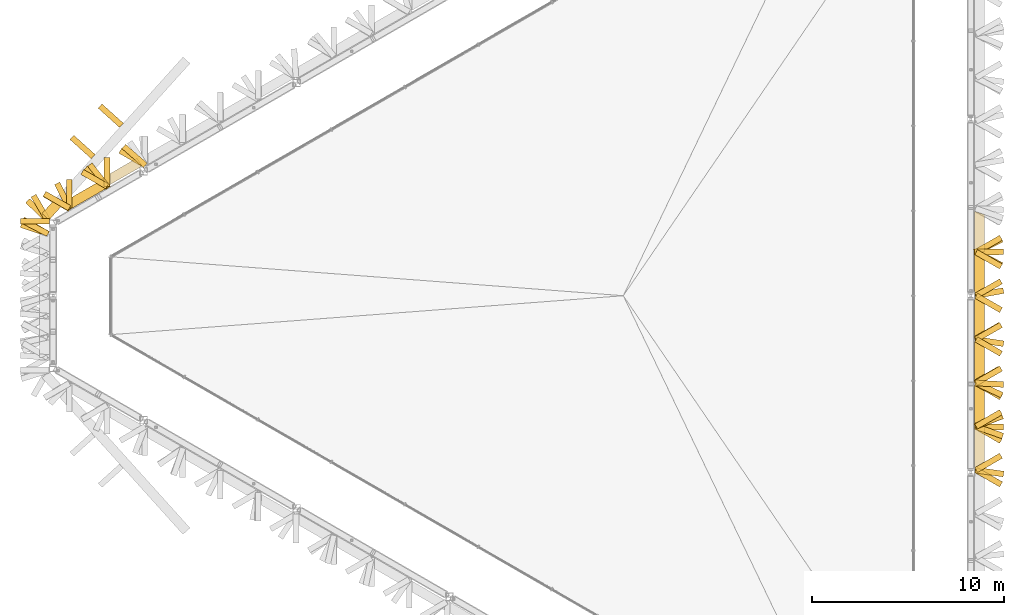
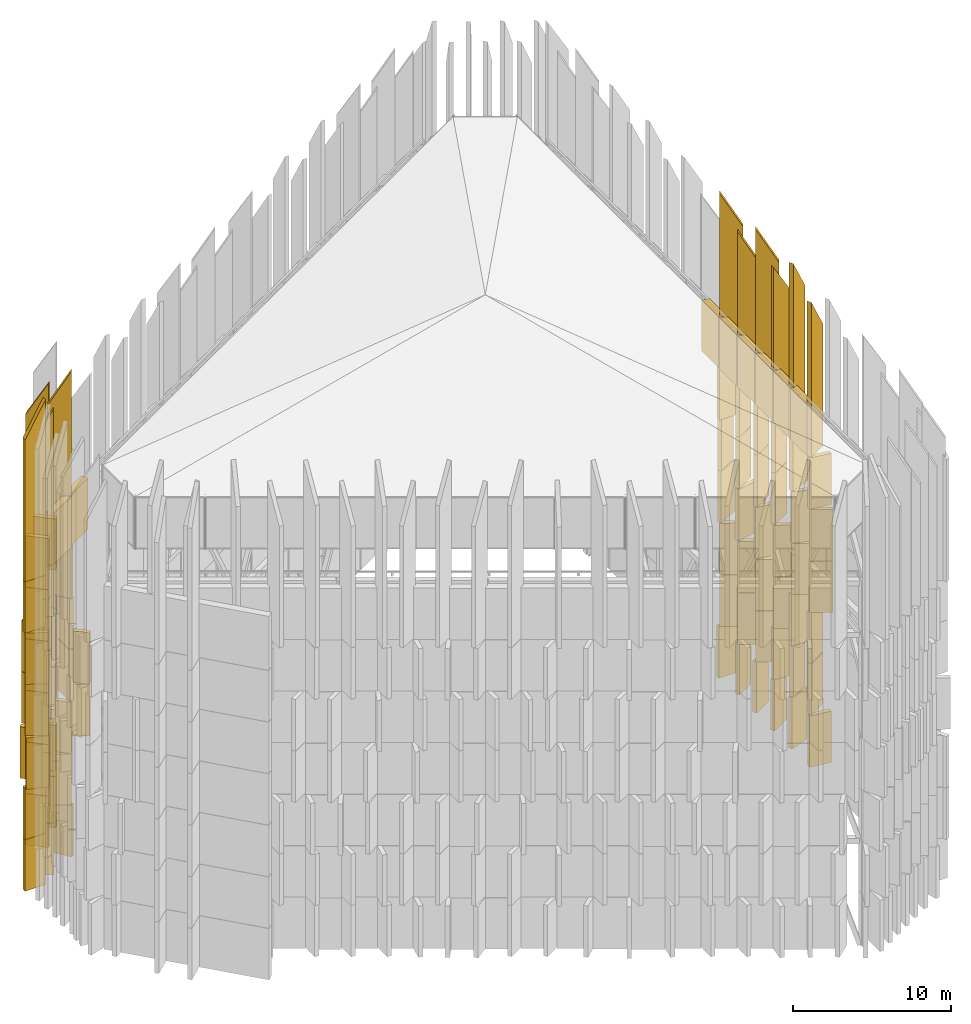
# One storey, part 41 of 45: 90 shading devices.
"""IFC4 building model written with IfcOpenShell, lengths in metres."""

from ifc_helpers import new_model, si_unit, direction, frame, frame_2d, origin, place, context, subcontext, project, spatial, polyline, rectangle, outline, extrude, material, layer, layer_set, type_object, element, save


model = new_model("IFC4")

# Units and contexts
model_context = context("Model", 3, precision=1e-05, world=origin(), true_north=direction((0.0, 1.0)))
body_context = subcontext(model_context, "Body", "Model", "MODEL_VIEW")
ifc_project = project(units=[si_unit("LENGTHUNIT", "METRE"), si_unit("AREAUNIT", "SQUARE_METRE"), si_unit("VOLUMEUNIT", "CUBIC_METRE"), si_unit("PLANEANGLEUNIT", "RADIAN"), si_unit("MASSUNIT", "GRAM", prefix="KILO")], contexts=[model_context])

# Site, building, storey
site_placement = place(None, origin())
site = spatial("IfcSite", under=ifc_project, at=site_placement, CompositionType="ELEMENT")
building_placement = place(site_placement, origin())
building = spatial("IfcBuilding", under=site, at=building_placement, Name="Jabali Bay Hotel Tower and Convention Centre", CompositionType="ELEMENT")
storey_placement = place(building_placement, frame((0.0, 0.0, 322.39990234375)))
storey = spatial("IfcBuildingStorey", under=building, at=storey_placement, Name="Crown", CompositionType="ELEMENT", Elevation=322.39990234375)

# Shading devices
ifc_material_1 = material(Name="Aluminium 6063", Category="aluminium")
shading_device_type_1 = type_object("IfcShadingDeviceType", Name="Louvre bank", PredefinedType="USERDEFINED", material=ifc_material_1)
shading_device_1_placement = place(storey_placement, frame((0.0, 0.0, 23.92431640625)))
element("IfcShadingDevice", 1, at=shading_device_1_placement, inside=storey, type_object=shading_device_type_1, Name="Louvre 7.0.06", ObjectType="LOUVRE", PredefinedType="USERDEFINED", context=body_context, shape_type="SweptSolid", body=[
    extrude(outline(polyline([(93.348876953125, 73.1708984375), (93.348876953125, 71.0244140625), (93.848876953125, 71.31298828125), (93.848876953125, 73.1708984375), (93.7236328125, 73.1708984375), (93.498779296875, 73.041015625), (93.423828125, 73.1708984375), (93.348876953125, 73.1708984375)])), origin(), (0.0, 0.0, 1.0), 3.9658203125),
])
shading_device_2_placement = place(storey_placement, frame((0.0, 0.0, 23.92431640625)))
element("IfcShadingDevice", 2, at=shading_device_2_placement, inside=storey, type_object=shading_device_type_1, Name="Louvre 7.0.07", ObjectType="LOUVRE", PredefinedType="USERDEFINED", context=body_context, shape_type="SweptSolid", body=[
    extrude(outline(polyline([(93.348876953125, 75.297607421875), (93.348876953125, 73.30078125), (93.848876953125, 73.58935546875), (93.848876953125, 75.268798828125), (93.348876953125, 75.297607421875)])), origin(), (0.0, 0.0, 1.0), 3.9658203125),
])
shading_device_3_placement = place(storey_placement, frame((0.0, 0.0, 23.92431640625)))
element("IfcShadingDevice", 3, at=shading_device_3_placement, inside=storey, type_object=shading_device_type_1, Name="Louvre 7.0.08", ObjectType="LOUVRE", PredefinedType="USERDEFINED", context=body_context, shape_type="SweptSolid", body=[
    extrude(outline(polyline([(93.348876953125, 77.59375), (93.348876953125, 75.447265625), (93.357421875, 75.447265625), (93.365966796875, 75.596923828125), (93.848876953125, 75.5693359375), (93.848876953125, 77.304931640625), (93.348876953125, 77.59375)])), origin(), (0.0, 0.0, 1.0), 3.9658203125),
])
shading_device_4_placement = place(storey_placement, frame((0.0, 0.0, 23.92431640625)))
element("IfcShadingDevice", 4, at=shading_device_4_placement, inside=storey, type_object=shading_device_type_1, Name="Louvre 7.0.09", ObjectType="LOUVRE", PredefinedType="USERDEFINED", context=body_context, shape_type="SweptSolid", body=[
    extrude(outline(polyline([(93.348876953125, 79.8701171875), (93.348876953125, 77.7236328125), (93.423828125, 77.7236328125), (93.498779296875, 77.853515625), (93.7236328125, 77.7236328125), (93.848876953125, 77.7236328125), (93.848876953125, 79.581298828125), (93.348876953125, 79.8701171875)])), origin(), (0.0, 0.0, 1.0), 3.9658203125),
])
shading_device_5_placement = place(storey_placement, frame((0.0, 0.0, 23.92431640625)))
element("IfcShadingDevice", 5, at=shading_device_5_placement, inside=storey, type_object=shading_device_type_1, Name="Louvre 7.0.10", ObjectType="LOUVRE", PredefinedType="USERDEFINED", context=body_context, shape_type="SweptSolid", body=[
    extrude(outline(polyline([(93.348876953125, 82.146484375), (93.348876953125, 80.0), (93.423828125, 80.0), (93.498779296875, 80.1298828125), (93.7236328125, 80.0), (93.848876953125, 80.0), (93.848876953125, 81.857666015625), (93.348876953125, 82.146484375)])), origin(), (0.0, 0.0, 1.0), 3.9658203125),
])
shading_device_6_placement = place(storey_placement, frame((0.0, 0.0, 23.92431640625)))
element("IfcShadingDevice", 6, at=shading_device_6_placement, inside=storey, type_object=shading_device_type_1, Name="Louvre 7.0.11", ObjectType="LOUVRE", PredefinedType="USERDEFINED", context=body_context, shape_type="SweptSolid", body=[
    extrude(outline(polyline([(93.348876953125, 84.4111328125), (93.348876953125, 82.2763671875), (93.423828125, 82.2763671875), (93.498779296875, 82.40625), (93.7236328125, 82.2763671875), (93.848876953125, 82.2763671875), (93.848876953125, 84.23681640625), (93.348876953125, 84.4111328125)])), origin(), (0.0, 0.0, 1.0), 3.9658203125),
])
shading_device_7_placement = place(storey_placement, frame((0.0, 0.0, 23.92431640625)))
element("IfcShadingDevice", 7, at=shading_device_7_placement, inside=storey, type_object=shading_device_type_1, Name="Louvre 7.2.46", ObjectType="LOUVRE", PredefinedType="USERDEFINED", context=body_context, shape_type="SweptSolid", body=[
    extrude(outline(polyline([(48.04638671875, 85.710205078125), (49.884033203125, 86.771240234375), (49.6083984375, 87.189208984375), (47.79638671875, 86.14306640625), (47.8955078125, 85.971435546875), (48.12060546875, 85.841552734375), (48.04541015625, 85.711669921875), (48.04638671875, 85.710205078125)])), origin(), (0.0, 0.0, 1.0), 3.9658203125),
])
shading_device_8_placement = place(storey_placement, frame((0.0, 0.0, 23.92431640625)))
element("IfcShadingDevice", 8, at=shading_device_8_placement, inside=storey, type_object=shading_device_type_1, Name="Louvre 7.2.47", ObjectType="LOUVRE", PredefinedType="USERDEFINED", context=body_context, shape_type="SweptSolid", body=[
    extrude(outline(polyline([(46.111572265625, 84.508544921875), (47.970458984375, 85.581787109375), (47.470458984375, 85.87060546875), (45.861572265625, 84.941650390625), (45.924072265625, 84.833251953125), (46.149169921875, 84.703369140625), (46.07421875, 84.573486328125), (46.111572265625, 84.508544921875)])), origin(), (0.0, 0.0, 1.0), 3.9658203125),
])
shading_device_9_placement = place(storey_placement, frame((0.0, 0.0, 23.92431640625)))
element("IfcShadingDevice", 9, at=shading_device_9_placement, inside=storey, type_object=shading_device_type_1, Name="Louvre 7.W00", ObjectType="LOUVRE", PredefinedType="USERDEFINED", context=body_context, shape_type="SweptSolid", body=[
    extrude(outline(polyline([(45.02587890625, 83.96630859375), (45.6416015625, 84.650146484375), (45.198974609375, 84.905517578125), (44.64453125, 84.289794921875), (44.93115234375, 84.03173828125), (45.02587890625, 84.03173828125), (45.02587890625, 83.96630859375)])), origin(), (0.0, 0.0, 1.0), 4.17578125),
])
ifc_material_2 = material(Name="Precast concrete C60", Category="concrete")
ifc_layer = layer(ifc_material_2, 0.300048828125)
ifc_layer_set = layer_set([ifc_layer], Name="Precast concrete C60")
shading_device_type_2 = type_object("IfcShadingDeviceType", Name="Precast fin 3966 x 1500", PredefinedType="USERDEFINED", material=ifc_layer_set)
shading_device_10_placement = place(storey_placement, frame((93.369384765625, 70.89453125, 0.010009765625), z_axis=(0.0, 0.0, 1.0), x_axis=(0.990454043989, -0.137843341318, 0.0)))
element("IfcShadingDevice", 10, at=shading_device_10_placement, inside=storey, type_object=shading_device_type_2, Name="Fin Crown:0 006", ObjectType="FIN", PredefinedType="USERDEFINED", context=body_context, shape_type="SweptSolid", body=[
    extrude(rectangle(XDim=1.500244140625, YDim=0.300048828125, at=frame_2d((0.75, 0.0))), origin(), (0.0, 0.0, 1.0), 3.9658203125),
])
shading_device_11_placement = place(storey_placement, frame((93.353271484375, 73.1708984375, 0.010009765625), z_axis=(0.0, 0.0, 1.0), x_axis=(0.931729473542, 0.363153119405, 0.0)))
element("IfcShadingDevice", 11, at=shading_device_11_placement, inside=storey, type_object=shading_device_type_2, Name="Fin Crown:0 007", ObjectType="FIN", PredefinedType="USERDEFINED", context=body_context, shape_type="SweptSolid", body=[
    extrude(rectangle(XDim=1.499755859375, YDim=0.300048828125, at=frame_2d((0.75, 0.0))), origin(), (0.0, 0.0, 1.0), 3.9658203125),
])
for number, where, z_axis, x_axis, name in (
    (12, (93.373779296875, 75.447265625, 0.010009765625), (0.0, 0.0, 1.0), (0.866031096941, 0.499990139034, 0.0), "Fin Crown:0 008"),
    (13, (93.373779296875, 77.7236328125, 0.010009765625), (0.0, 0.0, 1.0), (0.866031096941, 0.499990139034, 0.0), "Fin Crown:0 009"),
    (14, (93.423828125, 80.0, 0.010009765625), (0.0, 0.0, 1.0), (0.866031096941, 0.499990139034, 0.0), "Fin Crown:0 010"),
    (15, (93.30029296875, 82.2763671875, 0.010009765625), (0.0, 0.0, 1.0), (0.999949088276, 0.010090632076, 0.0), "Fin Crown:0 011"),
    (16, (48.097412109375, 85.6220703125, 0.010009765625), (0.0, 0.0, 1.0), (-0.618482636474, 0.785798465499, 0.0), "Fin Crown:0 047"),
    (17, (46.09912109375, 84.5302734375, 0.010009765625), (0.0, 0.0, 1.0), (-0.866031096941, 0.499990139034, 0.0), "Fin Crown:0 048"),
    (18, (45.02587890625, 83.8818359375, 0.010009765625), (0.0, 0.0, 1.0), (-1.0, 0.0, 0.0), "Fin Crown:0 087"),
):
    element("IfcShadingDevice", number, at=place(storey_placement, frame(where, z_axis=z_axis, x_axis=x_axis)), inside=storey, type_object=shading_device_type_2, Name=name, ObjectType="FIN", PredefinedType="USERDEFINED", context=body_context, shape_type="SweptSolid", body=[
        extrude(rectangle(XDim=1.5, YDim=0.300048828125, at=frame_2d((0.75, 0.0))), origin(), (0.0, 0.0, 1.0), 3.9658203125),
    ])
for number, where, z_axis, x_axis, name in (
    (19, (93.423828125, 70.89453125, 3.995849609375), (0.0, 0.0, 1.0), (0.866031096941, 0.499990139034, 0.0), "Fin Crown:1 006"),
    (20, (93.423828125, 73.1708984375, 3.995849609375), (0.0, 0.0, 1.0), (0.866031096941, 0.499990139034, 0.0), "Fin Crown:1 007"),
    (21, (93.357421875, 75.447265625, 3.995849609375), (0.0, 0.0, 1.0), (0.99836682861, -0.057128587682, 0.0), "Fin Crown:1 008"),
    (22, (93.423828125, 77.7236328125, 3.995849609375), (0.0, 0.0, 1.0), (0.866031096941, -0.499990139034, 0.0), "Fin Crown:1 009"),
    (23, (93.423828125, 80.0, 3.995849609375), (0.0, 0.0, 1.0), (0.866031096941, -0.499990139034, 0.0), "Fin Crown:1 010"),
    (24, (93.423828125, 82.2763671875, 3.995849609375), (0.0, 0.0, 1.0), (0.866031096941, -0.499990139034, 0.0), "Fin Crown:1 011"),
):
    element("IfcShadingDevice", number, at=place(storey_placement, frame(where, z_axis=z_axis, x_axis=x_axis)), inside=storey, type_object=shading_device_type_2, Name=name, ObjectType="FIN", PredefinedType="USERDEFINED", context=body_context, shape_type="SweptSolid", body=[
        extrude(rectangle(XDim=1.5, YDim=0.300048828125, at=frame_2d((0.75, 0.0))), origin(), (0.0, 0.0, 1.0), 3.965576171875),
    ])
shading_device_12_placement = place(storey_placement, frame((48.04541015625, 85.711669921875, 3.995849609375), z_axis=(0.0, 0.0, 1.0), x_axis=(-0.86599040064, 0.500060622324, 0.0)))
element("IfcShadingDevice", 25, at=shading_device_12_placement, inside=storey, type_object=shading_device_type_2, Name="Fin Crown:1 047", ObjectType="FIN", PredefinedType="USERDEFINED", context=body_context, shape_type="SweptSolid", body=[
    extrude(rectangle(XDim=1.499755859375, YDim=0.300048828125, at=frame_2d((0.75, 0.0))), origin(), (0.0, 0.0, 1.0), 3.965576171875),
])
for number, where, z_axis, x_axis, name in (
    (26, (46.07421875, 84.573486328125, 3.995849609375), (0.0, 0.0, 1.0), (-0.866031096941, 0.499990139034, 0.0), "Fin Crown:1 048"),
    (27, (45.02587890625, 83.8818359375, 3.995849609375), (0.0, 0.0, 1.0), (-1.0, 0.0, 0.0), "Fin Crown:1 087"),
):
    element("IfcShadingDevice", number, at=place(storey_placement, frame(where, z_axis=z_axis, x_axis=x_axis)), inside=storey, type_object=shading_device_type_2, Name=name, ObjectType="FIN", PredefinedType="USERDEFINED", context=body_context, shape_type="SweptSolid", body=[
        extrude(rectangle(XDim=1.5, YDim=0.300048828125, at=frame_2d((0.75, 0.0))), origin(), (0.0, 0.0, 1.0), 3.965576171875),
    ])
shading_device_13_placement = place(storey_placement, frame((93.423828125, 70.89453125, 7.9814453125), z_axis=(0.0, 0.0, 1.0), x_axis=(0.866031096941, 0.499990139034, 0.0)))
element("IfcShadingDevice", 28, at=shading_device_13_placement, inside=storey, type_object=shading_device_type_2, Name="Fin Crown:2 006", ObjectType="FIN", PredefinedType="USERDEFINED", context=body_context, shape_type="SweptSolid", body=[
    extrude(rectangle(XDim=1.5, YDim=0.300048828125, at=frame_2d((0.75, 0.0))), origin(), (0.0, 0.0, 1.0), 3.9658203125),
])
shading_device_14_placement = place(storey_placement, frame((93.35205078125, 73.1708984375, 7.9814453125), z_axis=(0.0, 0.0, 1.0), x_axis=(0.99976563057, -0.021649109226, 0.0)))
element("IfcShadingDevice", 29, at=shading_device_14_placement, inside=storey, type_object=shading_device_type_2, Name="Fin Crown:2 007", ObjectType="FIN", PredefinedType="USERDEFINED", context=body_context, shape_type="SweptSolid", body=[
    extrude(rectangle(XDim=1.499755859375, YDim=0.300048828125, at=frame_2d((0.75, 0.0))), origin(), (0.0, 0.0, 1.0), 3.9658203125),
])
for number, where, z_axis, x_axis, name in (
    (30, (93.423828125, 75.447265625, 7.9814453125), (0.0, 0.0, 1.0), (0.866031096941, -0.499990139034, 0.0), "Fin Crown:2 008"),
    (31, (93.423828125, 77.7236328125, 7.9814453125), (0.0, 0.0, 1.0), (0.866031096941, -0.499990139034, 0.0), "Fin Crown:2 009"),
    (32, (93.423828125, 80.0, 7.9814453125), (0.0, 0.0, 1.0), (0.866031096941, -0.499990139034, 0.0), "Fin Crown:2 010"),
    (33, (93.4169921875, 82.2763671875, 7.9814453125), (0.0, 0.0, 1.0), (0.890519684828, -0.454944711953, 0.0), "Fin Crown:2 011"),
    (34, (50.03173828125, 86.824462890625, 7.9814453125), (0.0, 0.0, 1.0), (-0.866031096941, 0.499990139034, 0.0), "Fin Crown:2 046"),
    (35, (48.058837890625, 85.6884765625, 7.9814453125), (0.0, 0.0, 1.0), (-0.751971412186, 0.659195718475, 0.0), "Fin Crown:2 047"),
    (36, (46.106689453125, 84.516845703125, 7.9814453125), (0.0, 0.0, 1.0), (-0.443172800491, 0.896436204593, 0.0), "Fin Crown:2 048"),
    (37, (44.97802734375, 83.228271484375, 7.9814453125), (0.0, 0.0, 1.0), (-0.947702265569, 0.319155786155, 0.0), "Fin Crown:2 049"),
    (38, (44.973388671875, 83.912109375, 7.9814453125), (0.0, 0.0, 1.0), (-0.716965542295, 0.697108607866, 0.0), "Fin Crown:2 087"),
):
    element("IfcShadingDevice", number, at=place(storey_placement, frame(where, z_axis=z_axis, x_axis=x_axis)), inside=storey, type_object=shading_device_type_2, Name=name, ObjectType="FIN", PredefinedType="USERDEFINED", context=body_context, shape_type="SweptSolid", body=[
        extrude(rectangle(XDim=1.5, YDim=0.300048828125, at=frame_2d((0.75, 0.0))), origin(), (0.0, 0.0, 1.0), 3.9658203125),
    ])
for number, where, z_axis, x_axis, name in (
    (39, (93.423095703125, 70.89453125, 11.96728515625), (0.0, 0.0, 1.0), (0.868102892973, -0.496384293882, 0.0), "Fin Crown:3 006"),
    (40, (93.423828125, 73.1708984375, 11.96728515625), (0.0, 0.0, 1.0), (0.866031096941, -0.499990139034, 0.0), "Fin Crown:3 007"),
    (41, (93.41259765625, 75.447265625, 11.96728515625), (0.0, 0.0, 1.0), (0.904910892744, -0.425601076354, 0.0), "Fin Crown:3 008"),
):
    element("IfcShadingDevice", number, at=place(storey_placement, frame(where, z_axis=z_axis, x_axis=x_axis)), inside=storey, type_object=shading_device_type_2, Name=name, ObjectType="FIN", PredefinedType="USERDEFINED", context=body_context, shape_type="SweptSolid", body=[
        extrude(rectangle(XDim=1.5, YDim=0.300048828125, at=frame_2d((0.75, 0.0))), origin(), (0.0, 0.0, 1.0), 3.965576171875),
    ])
shading_device_15_placement = place(storey_placement, frame((93.371826171875, 77.7236328125, 11.96728515625), z_axis=(0.0, 0.0, 1.0), x_axis=(0.988001947583, -0.154441417931, 0.0)))
element("IfcShadingDevice", 42, at=shading_device_15_placement, inside=storey, type_object=shading_device_type_2, Name="Fin Crown:3 009", ObjectType="FIN", PredefinedType="USERDEFINED", context=body_context, shape_type="SweptSolid", body=[
    extrude(rectangle(XDim=1.500244140625, YDim=0.300048828125, at=frame_2d((0.75, 0.0))), origin(), (0.0, 0.0, 1.0), 3.965576171875),
])
for number, where, z_axis, x_axis, name in (
    (43, (93.37548828125, 80.0, 11.96728515625), (0.0, 0.0, 1.0), (0.984020596641, 0.178054669654, 0.0), "Fin Crown:3 010"),
    (44, (93.414794921875, 82.2763671875, 11.96728515625), (0.0, 0.0, 1.0), (0.897882882678, 0.440234402328, 0.0), "Fin Crown:3 011"),
    (45, (50.04150390625, 86.807373046875, 11.96728515625), (0.0, 0.0, 1.0), (-0.752425440513, 0.658677429755, 0.0), "Fin Crown:3 046"),
    (46, (48.04541015625, 85.711669921875, 11.96728515625), (0.0, 0.0, 1.0), (0.0, 1.0, 0.0), "Fin Crown:3 047"),
    (47, (46.07421875, 84.573486328125, 11.96728515625), (0.0, 0.0, 1.0), (0.0, 1.0, 0.0), "Fin Crown:3 048"),
    (48, (44.950927734375, 83.228271484375, 11.96728515625), (0.0, 0.0, 1.0), (-0.866031096941, 0.499990139034, 0.0), "Fin Crown:3 049"),
    (49, (44.95263671875, 83.924072265625, 11.96728515625), (0.0, 0.0, 1.0), (-0.499990139034, 0.866031096941, 0.0), "Fin Crown:3 087"),
):
    element("IfcShadingDevice", number, at=place(storey_placement, frame(where, z_axis=z_axis, x_axis=x_axis)), inside=storey, type_object=shading_device_type_2, Name=name, ObjectType="FIN", PredefinedType="USERDEFINED", context=body_context, shape_type="SweptSolid", body=[
        extrude(rectangle(XDim=1.5, YDim=0.300048828125, at=frame_2d((0.75, 0.0))), origin(), (0.0, 0.0, 1.0), 3.965576171875),
    ])
shading_device_16_placement = place(storey_placement, frame((93.423828125, 70.89453125, 15.952880859375), z_axis=(0.0, 0.0, 1.0), x_axis=(0.866031096941, -0.499990139034, 0.0)))
element("IfcShadingDevice", 50, at=shading_device_16_placement, inside=storey, type_object=shading_device_type_2, Name="Fin Crown:4 006", ObjectType="FIN", PredefinedType="USERDEFINED", context=body_context, shape_type="SweptSolid", body=[
    extrude(rectangle(XDim=1.5, YDim=0.300048828125, at=frame_2d((0.75, 0.0))), origin(), (0.0, 0.0, 1.0), 3.9658203125),
])
shading_device_17_placement = place(storey_placement, frame((93.3984375, 73.1708984375, 15.952880859375), z_axis=(0.0, 0.0, 1.0), x_axis=(0.94377204231, -0.330596933069, 0.0)))
element("IfcShadingDevice", 51, at=shading_device_17_placement, inside=storey, type_object=shading_device_type_2, Name="Fin Crown:4 007", ObjectType="FIN", PredefinedType="USERDEFINED", context=body_context, shape_type="SweptSolid", body=[
    extrude(rectangle(XDim=1.499755859375, YDim=0.300048828125, at=frame_2d((0.75, 0.0))), origin(), (0.0, 0.0, 1.0), 3.9658203125),
])
for number, where, z_axis, x_axis, name in (
    (52, (93.423828125, 75.447265625, 15.952880859375), (0.0, 0.0, 1.0), (0.866031096941, 0.499990139034, 0.0), "Fin Crown:4 008"),
    (53, (93.423828125, 77.7236328125, 15.952880859375), (0.0, 0.0, 1.0), (0.866031096941, 0.499990139034, 0.0), "Fin Crown:4 009"),
    (54, (93.423828125, 80.0, 15.952880859375), (0.0, 0.0, 1.0), (0.866031096941, 0.499990139034, 0.0), "Fin Crown:4 010"),
    (55, (93.423828125, 82.2763671875, 15.952880859375), (0.0, 0.0, 1.0), (0.866031096941, 0.499990139034, 0.0), "Fin Crown:4 011"),
    (56, (48.04541015625, 85.711669921875, 15.952880859375), (0.0, 0.0, 1.0), (0.0, 1.0, 0.0), "Fin Crown:4 047"),
    (57, (46.07421875, 84.573486328125, 15.952880859375), (0.0, 0.0, 1.0), (0.0, 1.0, 0.0), "Fin Crown:4 048"),
    (58, (44.9560546875, 83.228271484375, 15.952880859375), (0.0, 0.0, 1.0), (-0.884787552331, 0.465994621472, 0.0), "Fin Crown:4 049"),
    (59, (44.95263671875, 83.924072265625, 15.952880859375), (0.0, 0.0, 1.0), (-0.499990139034, 0.866031096941, 0.0), "Fin Crown:4 087"),
):
    element("IfcShadingDevice", number, at=place(storey_placement, frame(where, z_axis=z_axis, x_axis=x_axis)), inside=storey, type_object=shading_device_type_2, Name=name, ObjectType="FIN", PredefinedType="USERDEFINED", context=body_context, shape_type="SweptSolid", body=[
        extrude(rectangle(XDim=1.5, YDim=0.300048828125, at=frame_2d((0.75, 0.0))), origin(), (0.0, 0.0, 1.0), 3.9658203125),
    ])
shading_device_18_placement = place(storey_placement, frame((93.369384765625, 70.89453125, 19.938720703125), z_axis=(0.0, 0.0, 1.0), x_axis=(0.990454043989, -0.137843341318, 0.0)))
element("IfcShadingDevice", 60, at=shading_device_18_placement, inside=storey, type_object=shading_device_type_2, Name="Fin Crown:5 006", ObjectType="FIN", PredefinedType="USERDEFINED", context=body_context, shape_type="SweptSolid", body=[
    extrude(rectangle(XDim=1.500244140625, YDim=0.300048828125, at=frame_2d((0.75, 0.0))), origin(), (0.0, 0.0, 1.0), 3.965576171875),
])
shading_device_19_placement = place(storey_placement, frame((93.4033203125, 73.1708984375, 19.938720703125), z_axis=(0.0, 0.0, 1.0), x_axis=(0.931729473542, 0.363153119405, 0.0)))
element("IfcShadingDevice", 61, at=shading_device_19_placement, inside=storey, type_object=shading_device_type_2, Name="Fin Crown:5 007", ObjectType="FIN", PredefinedType="USERDEFINED", context=body_context, shape_type="SweptSolid", body=[
    extrude(rectangle(XDim=1.499755859375, YDim=0.300048828125, at=frame_2d((0.75, 0.0))), origin(), (0.0, 0.0, 1.0), 3.965576171875),
])
for number, where, z_axis, x_axis, name in (
    (62, (93.423828125, 75.447265625, 19.938720703125), (0.0, 0.0, 1.0), (0.866031096941, 0.499990139034, 0.0), "Fin Crown:5 008"),
    (63, (93.423828125, 77.7236328125, 19.938720703125), (0.0, 0.0, 1.0), (0.866031096941, 0.499990139034, 0.0), "Fin Crown:5 009"),
    (64, (93.423828125, 80.0, 19.938720703125), (0.0, 0.0, 1.0), (0.866031096941, 0.499990139034, 0.0), "Fin Crown:5 010"),
):
    element("IfcShadingDevice", number, at=place(storey_placement, frame(where, z_axis=z_axis, x_axis=x_axis)), inside=storey, type_object=shading_device_type_2, Name=name, ObjectType="FIN", PredefinedType="USERDEFINED", context=body_context, shape_type="SweptSolid", body=[
        extrude(rectangle(XDim=1.5, YDim=0.300048828125, at=frame_2d((0.75, 0.0))), origin(), (0.0, 0.0, 1.0), 3.965576171875),
    ])
shading_device_20_placement = place(storey_placement, frame((93.350341796875, 82.2763671875, 19.938720703125), z_axis=(0.0, 0.0, 1.0), x_axis=(0.999949071701, 0.010092274531, 0.0)))
element("IfcShadingDevice", 65, at=shading_device_20_placement, inside=storey, type_object=shading_device_type_2, Name="Fin Crown:5 011", ObjectType="FIN", PredefinedType="USERDEFINED", context=body_context, shape_type="SweptSolid", body=[
    extrude(rectangle(XDim=1.499755859375, YDim=0.300048828125, at=frame_2d((0.75, 0.0))), origin(), (0.0, 0.0, 1.0), 3.965576171875),
])
for number, where, z_axis, x_axis, name in (
    (66, (48.072265625, 85.665283203125, 19.938720703125), (0.0, 0.0, 1.0), (-0.618482636474, 0.785798465499, 0.0), "Fin Crown:5 047"),
    (67, (46.07421875, 84.573486328125, 19.938720703125), (0.0, 0.0, 1.0), (-0.866031096941, 0.499990139034, 0.0), "Fin Crown:5 048"),
    (68, (45.02587890625, 83.8818359375, 19.938720703125), (0.0, 0.0, 1.0), (-1.0, 0.0, 0.0), "Fin Crown:5 087"),
):
    element("IfcShadingDevice", number, at=place(storey_placement, frame(where, z_axis=z_axis, x_axis=x_axis)), inside=storey, type_object=shading_device_type_2, Name=name, ObjectType="FIN", PredefinedType="USERDEFINED", context=body_context, shape_type="SweptSolid", body=[
        extrude(rectangle(XDim=1.5, YDim=0.300048828125, at=frame_2d((0.75, 0.0))), origin(), (0.0, 0.0, 1.0), 3.965576171875),
    ])
shading_device_21_placement = place(storey_placement, frame((93.423828125, 70.89453125, 23.92431640625), z_axis=(0.0, 0.0, 1.0), x_axis=(0.866031096941, 0.499990139034, 0.0)))
element("IfcShadingDevice", 69, at=shading_device_21_placement, inside=storey, type_object=shading_device_type_2, Name="Fin Crown:6 006", ObjectType="FIN", PredefinedType="USERDEFINED", context=body_context, shape_type="SweptSolid", body=[
    extrude(outline(polyline([(0.0, 0.0), (1.5, 0.0), (1.5, 9.36767578125), (0.0, 11.9658203125), (0.0, 0.0)])), frame((0.0, 0.14990234375, 0.0), z_axis=(0.0, -1.0, 0.0), x_axis=(1.0, 0.0, 0.0)), (0.0, 0.0, 1.0), 0.300048828125),
])
shading_device_22_placement = place(storey_placement, frame((93.423828125, 73.1708984375, 23.92431640625), z_axis=(0.0, 0.0, 1.0), x_axis=(0.866031096941, 0.499990139034, 0.0)))
element("IfcShadingDevice", 70, at=shading_device_22_placement, inside=storey, type_object=shading_device_type_2, Name="Fin Crown:6 007", ObjectType="FIN", PredefinedType="USERDEFINED", context=body_context, shape_type="SweptSolid", body=[
    extrude(outline(polyline([(0.0, 0.0), (1.5, 0.0), (1.5, 10.9677734375), (0.0, 13.565673828125), (0.0, 0.0)])), frame((0.0, 0.14990234375, 0.0), z_axis=(0.0, -1.0, 0.0), x_axis=(1.0, 0.0, 0.0)), (0.0, 0.0, 1.0), 0.300048828125),
])
shading_device_23_placement = place(storey_placement, frame((93.357421875, 75.447265625, 23.92431640625), z_axis=(0.0, 0.0, 1.0), x_axis=(0.99836682861, -0.057128587682, 0.0)))
element("IfcShadingDevice", 71, at=shading_device_23_placement, inside=storey, type_object=shading_device_type_2, Name="Fin Crown:6 008", ObjectType="FIN", PredefinedType="USERDEFINED", context=body_context, shape_type="SweptSolid", body=[
    extrude(outline(polyline([(0.0, 0.0), (1.5, 0.0), (1.5, 9.36767578125), (0.0, 11.9658203125), (0.0, 0.0)])), frame((0.0, 0.14990234375, 0.0), z_axis=(0.0, -1.0, 0.0), x_axis=(1.0, 0.0, 0.0)), (0.0, 0.0, 1.0), 0.300048828125),
])
shading_device_24_placement = place(storey_placement, frame((93.423828125, 77.7236328125, 23.92431640625), z_axis=(0.0, 0.0, 1.0), x_axis=(0.866031096941, -0.499990139034, 0.0)))
element("IfcShadingDevice", 72, at=shading_device_24_placement, inside=storey, type_object=shading_device_type_2, Name="Fin Crown:6 009", ObjectType="FIN", PredefinedType="USERDEFINED", context=body_context, shape_type="SweptSolid", body=[
    extrude(outline(polyline([(0.0, 0.0), (1.5, 0.0), (1.5, 10.9677734375), (0.0, 13.565673828125), (0.0, 0.0)])), frame((0.0, 0.14990234375, 0.0), z_axis=(0.0, -1.0, 0.0), x_axis=(1.0, 0.0, 0.0)), (0.0, 0.0, 1.0), 0.300048828125),
])
shading_device_25_placement = place(storey_placement, frame((93.423828125, 80.0, 23.92431640625), z_axis=(0.0, 0.0, 1.0), x_axis=(0.866031096941, -0.499990139034, 0.0)))
element("IfcShadingDevice", 73, at=shading_device_25_placement, inside=storey, type_object=shading_device_type_2, Name="Fin Crown:6 010", ObjectType="FIN", PredefinedType="USERDEFINED", context=body_context, shape_type="SweptSolid", body=[
    extrude(outline(polyline([(0.0, 0.0), (1.5, 0.0), (1.5, 9.36767578125), (0.0, 11.9658203125), (0.0, 0.0)])), frame((0.0, 0.14990234375, 0.0), z_axis=(0.0, -1.0, 0.0), x_axis=(1.0, 0.0, 0.0)), (0.0, 0.0, 1.0), 0.300048828125),
])
shading_device_26_placement = place(storey_placement, frame((93.423828125, 82.2763671875, 23.92431640625), z_axis=(0.0, 0.0, 1.0), x_axis=(0.866031096941, -0.499990139034, 0.0)))
element("IfcShadingDevice", 74, at=shading_device_26_placement, inside=storey, type_object=shading_device_type_2, Name="Fin Crown:6 011", ObjectType="FIN", PredefinedType="USERDEFINED", context=body_context, shape_type="SweptSolid", body=[
    extrude(outline(polyline([(0.0, 0.0), (1.5, 0.0), (1.5, 10.9677734375), (0.0, 13.565673828125), (0.0, 0.0)])), frame((0.0, 0.14990234375, 0.0), z_axis=(0.0, -1.0, 0.0), x_axis=(1.0, 0.0, 0.0)), (0.0, 0.0, 1.0), 0.300048828125),
])
shading_device_27_placement = place(storey_placement, frame((48.04541015625, 85.711669921875, 23.92431640625), z_axis=(0.0, 0.0, 1.0), x_axis=(-0.86599040064, 0.500060622324, 0.0)))
element("IfcShadingDevice", 75, at=shading_device_27_placement, inside=storey, type_object=shading_device_type_2, Name="Fin Crown:6 047", ObjectType="FIN", PredefinedType="USERDEFINED", context=body_context, shape_type="SweptSolid", body=[
    extrude(outline(polyline([(0.0, 0.0), (1.499755859375, 0.0), (1.5, 10.9677734375), (0.0, 13.565673828125), (0.0, 0.0)])), frame((0.0, 0.14990234375, 0.0), z_axis=(0.0, -1.0, 0.0), x_axis=(1.0, 0.0, 0.0)), (0.0, 0.0, 1.0), 0.300048828125),
])
shading_device_28_placement = place(storey_placement, frame((46.07421875, 84.573486328125, 23.92431640625), z_axis=(0.0, 0.0, 1.0), x_axis=(-0.866031096941, 0.499990139034, 0.0)))
element("IfcShadingDevice", 76, at=shading_device_28_placement, inside=storey, type_object=shading_device_type_2, Name="Fin Crown:6 048", ObjectType="FIN", PredefinedType="USERDEFINED", context=body_context, shape_type="SweptSolid", body=[
    extrude(outline(polyline([(0.0, 0.0), (1.5, 0.0), (1.5, 9.36767578125), (0.0, 11.9658203125), (0.0, 0.0)])), frame((0.0, 0.14990234375, 0.0), z_axis=(0.0, -1.0, 0.0), x_axis=(1.0, 0.0, 0.0)), (0.0, 0.0, 1.0), 0.300048828125),
])
shading_device_29_placement = place(storey_placement, frame((45.02587890625, 83.8818359375, 23.92431640625), z_axis=(0.0, 0.0, 1.0), x_axis=(-1.0, 0.0, 0.0)))
element("IfcShadingDevice", 77, at=shading_device_29_placement, inside=storey, type_object=shading_device_type_2, Name="Fin Crown:6 087", ObjectType="FIN", PredefinedType="USERDEFINED", context=body_context, shape_type="SweptSolid", body=[
    extrude(outline(polyline([(0.0, 0.0), (1.5, 0.0), (1.5, 10.9677734375), (0.0, 13.565673828125), (0.0, 0.0)])), frame((0.0, 0.14990234375, 0.0), z_axis=(0.0, -1.0, 0.0), x_axis=(1.0, 0.0, 0.0)), (0.0, 0.0, 1.0), 0.300048828125),
])
for number, where, z_axis, x_axis, name in (
    (78, (47.321044921875, 87.262451171875, 0.010009765625), (0.0, 0.0, 1.0), (-0.743164643271, 0.669108595814, 0.0), "Fin W1.00"),
    (79, (48.79296875, 88.8974609375, 0.010009765625), (0.0, 0.0, 1.0), (-0.743164643271, 0.669108595814, 0.0), "Fin W1.01"),
):
    element("IfcShadingDevice", number, at=place(storey_placement, frame(where, z_axis=z_axis, x_axis=x_axis)), inside=storey, type_object=shading_device_type_2, Name=name, ObjectType="FIN", PredefinedType="USERDEFINED", context=body_context, shape_type="SweptSolid", body=[
        extrude(rectangle(XDim=1.5, YDim=0.300048828125, at=frame_2d((0.75, 0.0))), origin(), (0.0, 0.0, 1.0), 3.9658203125),
    ])
for number, where, z_axis, x_axis, name in (
    (80, (47.321044921875, 87.262451171875, 3.995849609375), (0.0, 0.0, 1.0), (-0.743164643271, 0.669108595814, 0.0), "Fin W2.00"),
    (81, (48.79296875, 88.8974609375, 3.995849609375), (0.0, 0.0, 1.0), (-0.743164643271, 0.669108595814, 0.0), "Fin W2.01"),
):
    element("IfcShadingDevice", number, at=place(storey_placement, frame(where, z_axis=z_axis, x_axis=x_axis)), inside=storey, type_object=shading_device_type_2, Name=name, ObjectType="FIN", PredefinedType="USERDEFINED", context=body_context, shape_type="SweptSolid", body=[
        extrude(rectangle(XDim=1.5, YDim=0.300048828125, at=frame_2d((0.75, 0.0))), origin(), (0.0, 0.0, 1.0), 3.965576171875),
    ])
for number, where, z_axis, x_axis, name in (
    (82, (47.321044921875, 87.262451171875, 7.9814453125), (0.0, 0.0, 1.0), (-0.743164643271, 0.669108595814, 0.0), "Fin W3.00"),
    (83, (48.79296875, 88.8974609375, 7.9814453125), (0.0, 0.0, 1.0), (-0.743164643271, 0.669108595814, 0.0), "Fin W3.01"),
):
    element("IfcShadingDevice", number, at=place(storey_placement, frame(where, z_axis=z_axis, x_axis=x_axis)), inside=storey, type_object=shading_device_type_2, Name=name, ObjectType="FIN", PredefinedType="USERDEFINED", context=body_context, shape_type="SweptSolid", body=[
        extrude(rectangle(XDim=1.5, YDim=0.300048828125, at=frame_2d((0.75, 0.0))), origin(), (0.0, 0.0, 1.0), 3.9658203125),
    ])
for number, where, z_axis, x_axis, name in (
    (84, (47.321044921875, 87.262451171875, 11.96728515625), (0.0, 0.0, 1.0), (-0.743164643271, 0.669108595814, 0.0), "Fin W4.00"),
    (85, (48.79296875, 88.8974609375, 11.96728515625), (0.0, 0.0, 1.0), (-0.743164643271, 0.669108595814, 0.0), "Fin W4.01"),
):
    element("IfcShadingDevice", number, at=place(storey_placement, frame(where, z_axis=z_axis, x_axis=x_axis)), inside=storey, type_object=shading_device_type_2, Name=name, ObjectType="FIN", PredefinedType="USERDEFINED", context=body_context, shape_type="SweptSolid", body=[
        extrude(rectangle(XDim=1.5, YDim=0.300048828125, at=frame_2d((0.75, 0.0))), origin(), (0.0, 0.0, 1.0), 3.965576171875),
    ])
for number, where, z_axis, x_axis, name in (
    (86, (47.321044921875, 87.262451171875, 15.952880859375), (0.0, 0.0, 1.0), (-0.743164643271, 0.669108595814, 0.0), "Fin W5.00"),
    (87, (48.79296875, 88.8974609375, 15.952880859375), (0.0, 0.0, 1.0), (-0.743164643271, 0.669108595814, 0.0), "Fin W5.01"),
):
    element("IfcShadingDevice", number, at=place(storey_placement, frame(where, z_axis=z_axis, x_axis=x_axis)), inside=storey, type_object=shading_device_type_2, Name=name, ObjectType="FIN", PredefinedType="USERDEFINED", context=body_context, shape_type="SweptSolid", body=[
        extrude(rectangle(XDim=1.5, YDim=0.300048828125, at=frame_2d((0.75, 0.0))), origin(), (0.0, 0.0, 1.0), 3.9658203125),
    ])
for number, where, z_axis, x_axis, name in (
    (88, (47.321044921875, 87.262451171875, 19.938720703125), (0.0, 0.0, 1.0), (-0.743164643271, 0.669108595814, 0.0), "Fin W6.00"),
    (89, (48.79296875, 88.8974609375, 19.938720703125), (0.0, 0.0, 1.0), (-0.743164643271, 0.669108595814, 0.0), "Fin W6.01"),
):
    element("IfcShadingDevice", number, at=place(storey_placement, frame(where, z_axis=z_axis, x_axis=x_axis)), inside=storey, type_object=shading_device_type_2, Name=name, ObjectType="FIN", PredefinedType="USERDEFINED", context=body_context, shape_type="SweptSolid", body=[
        extrude(rectangle(XDim=1.5, YDim=0.300048828125, at=frame_2d((0.75, 0.0))), origin(), (0.0, 0.0, 1.0), 3.965576171875),
    ])
shading_device_30_placement = place(storey_placement, frame((47.321044921875, 87.262451171875, 23.92431640625), z_axis=(0.0, 0.0, 1.0), x_axis=(-0.743164643271, 0.669108595814, 0.0)))
element("IfcShadingDevice", 90, at=shading_device_30_placement, inside=storey, type_object=shading_device_type_2, Name="Fin W7.00", ObjectType="FIN", PredefinedType="USERDEFINED", context=body_context, shape_type="SweptSolid", body=[
    extrude(outline(polyline([(0.0, 0.0), (1.5, 0.0), (1.5, 9.36767578125), (0.0, 11.9658203125), (0.0, 0.0)])), frame((0.0, 0.14990234375, 0.0), z_axis=(0.0, -1.0, 0.0), x_axis=(1.0, 0.0, 0.0)), (0.0, 0.0, 1.0), 0.300048828125),
])

save(model, "model.ifc")
